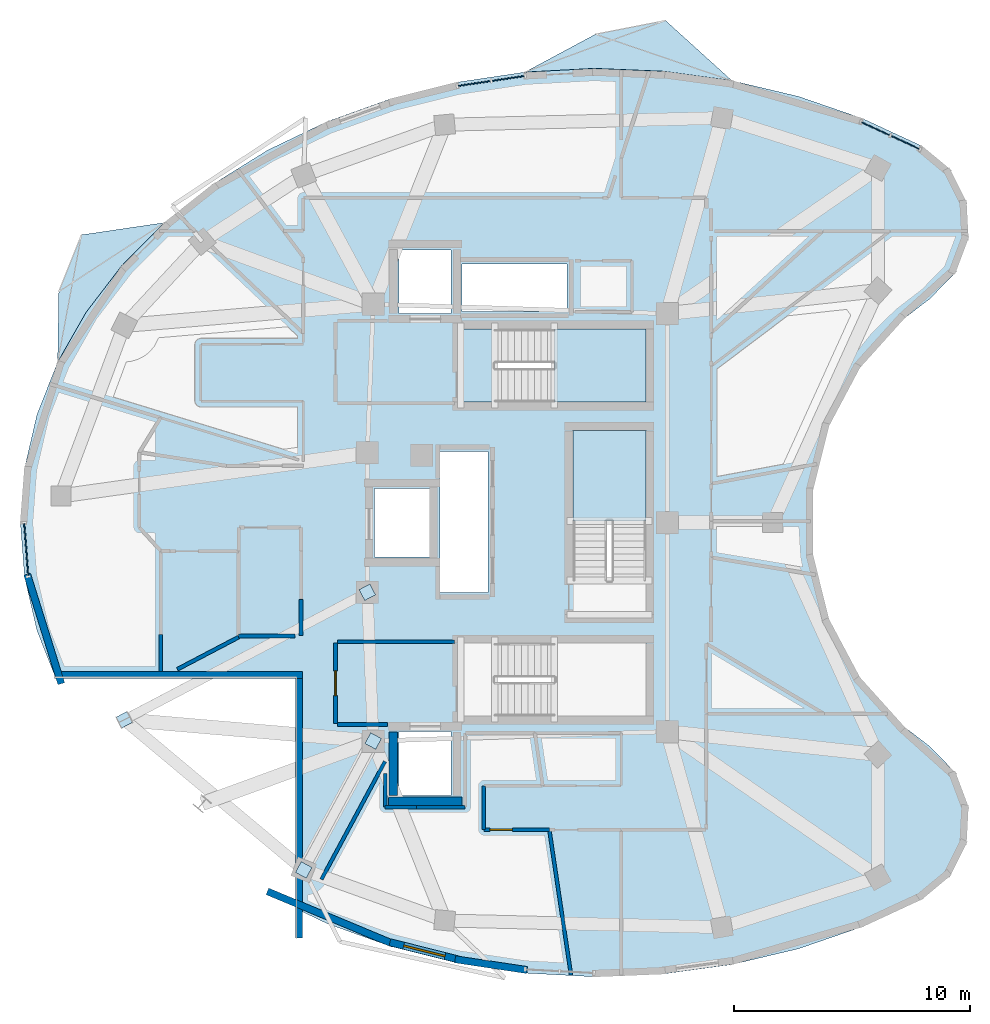
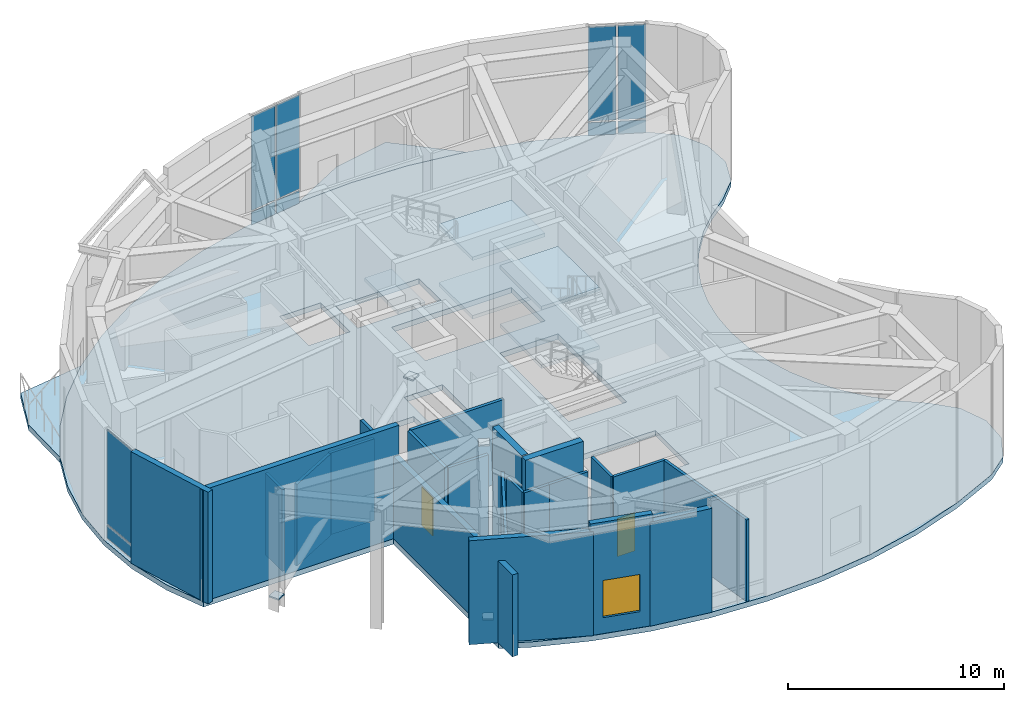
# One storey, part 5 of 12: 22 walls, 14 plates, 8 slabs, 2 doors, 1 window, 3 openings, 5 elements without a shape of their own.
"""IFC4 building model written with IfcOpenShell, lengths in metres."""

from ifc_helpers import new_model, si_unit, direction, frame, frame_2d, origin, origin_2d, place, context, subcontext, project, spatial, polyline, rectangle, outline, extrude, material, layer, layer_set, type_object, element, fill, aggregate, save


model = new_model("IFC4")

# Units and contexts
model_context = context("Model", 3, precision=1e-05, world=origin(), true_north=direction((0.0, 1.0)))
body_context = subcontext(model_context, "Body", "Model", "MODEL_VIEW")
ifc_project = project(units=[si_unit("LENGTHUNIT", "METRE"), si_unit("AREAUNIT", "SQUARE_METRE"), si_unit("VOLUMEUNIT", "CUBIC_METRE"), si_unit("PLANEANGLEUNIT", "RADIAN"), si_unit("MASSUNIT", "GRAM", prefix="KILO")], contexts=[model_context])

# Site, building, storey
site_placement = place(None, origin())
site = spatial("IfcSite", under=ifc_project, at=site_placement, CompositionType="ELEMENT")
building_placement = place(site_placement, origin())
building = spatial("IfcBuilding", under=site, at=building_placement, Name="Korentha Bioscience Tower", CompositionType="ELEMENT")
storey_placement = place(building_placement, frame((0.0, 0.0, 291.0)))
storey = spatial("IfcBuildingStorey", under=building, at=storey_placement, Name="L67", CompositionType="ELEMENT", Elevation=291.0)

# Curtain wall, plates
ifc_material_1 = material(Name="Thermally Broken Aluminium Frame", Category="aluminium")
ifc_layer_1 = layer(ifc_material_1, 0.219970703125, Name="Thermally Broken Aluminium Frame")
ifc_layer_set_1 = layer_set([ifc_layer_1], Name="Thermally Broken Aluminium Frame (CW-T1)")
curtain_wall_type = type_object("IfcCurtainWallType", Name="Standard Bioscience Lab Unitised Curtain Wall CW-T1", PredefinedType="USERDEFINED", material=ifc_layer_set_1)
curtain_wall_1_placement = place(storey_placement, origin())
curtain_wall_1 = element("IfcCurtainWall", 1, at=curtain_wall_1_placement, inside=storey, type_object=curtain_wall_type, Name="L67 Curtain Wall 01", ObjectType="UNITISED", PredefinedType="USERDEFINED")
ifc_material_2 = material(Name="Triple-Glazed Low-E Insulated Glass", Category="glass")
ifc_layer_2 = layer(ifc_material_2, 0.0439453125, Name="Triple-Glazed Low-E Insulated Glass")
ifc_layer_set_2 = layer_set([ifc_layer_2], Name="Triple-Glazed Low-E Insulated Glass (GL-44)")
plate_type_1 = type_object("IfcPlateType", Name="Glazed Panel 44mm", PredefinedType="CURTAIN_PANEL", material=ifc_layer_set_2)
plate_1_placement = place(storey_placement, frame((47.63330078125, 43.09521484375, 0.08984375), z_axis=(0.0, 0.0, 1.0), x_axis=(-0.907204022278, 0.420690934016, 0.0)))
plate_1 = element("IfcPlate", 2, at=plate_1_placement, type_object=plate_type_1, Name="CW-L67-01 Bay 1 Glazed Panel 1", PredefinedType="CURTAIN_PANEL", context=body_context, shape_type="SweptSolid", body=[
    extrude(rectangle(XDim=1.301513671875, YDim=0.0439453125, at=origin_2d()), origin(), (0.0, 0.0, 1.0), 0.715087890625),
])
plate_2_placement = place(storey_placement, frame((47.63330078125, 43.09521484375, 0.89501953125), z_axis=(0.0, 0.0, 1.0), x_axis=(-0.907204022278, 0.420690934016, 0.0)))
plate_2 = element("IfcPlate", 3, at=plate_2_placement, type_object=plate_type_1, Name="CW-L67-01 Bay 1 Glazed Panel 2", PredefinedType="CURTAIN_PANEL", context=body_context, shape_type="SweptSolid", body=[
    extrude(rectangle(XDim=1.301513671875, YDim=0.0439453125, at=origin_2d()), origin(), (0.0, 0.0, 1.0), 5.31494140625),
])
plate_3_placement = place(storey_placement, frame((46.37109375, 43.6806640625, 0.08984375), z_axis=(0.0, 0.0, 1.0), x_axis=(-0.907204022278, 0.420690934016, 0.0)))
plate_3 = element("IfcPlate", 4, at=plate_3_placement, type_object=plate_type_1, Name="CW-L67-01 Bay 2 Glazed Panel 1", PredefinedType="CURTAIN_PANEL", context=body_context, shape_type="SweptSolid", body=[
    extrude(rectangle(XDim=1.301513671875, YDim=0.0439453125, at=origin_2d()), origin(), (0.0, 0.0, 1.0), 0.715087890625),
])
plate_4_placement = place(storey_placement, frame((46.37109375, 43.6806640625, 0.89501953125), z_axis=(0.0, 0.0, 1.0), x_axis=(-0.907204022278, 0.420690934016, 0.0)))
plate_4 = element("IfcPlate", 5, at=plate_4_placement, type_object=plate_type_1, Name="CW-L67-01 Bay 2 Glazed Panel 2", PredefinedType="CURTAIN_PANEL", context=body_context, shape_type="SweptSolid", body=[
    extrude(rectangle(XDim=1.301513671875, YDim=0.0439453125, at=origin_2d()), origin(), (0.0, 0.0, 1.0), 5.31494140625),
])
aggregate(curtain_wall_1, [plate_1, plate_2, plate_3, plate_4])

curtain_wall_2_placement = place(storey_placement, origin())
curtain_wall_2 = element("IfcCurtainWall", 6, at=curtain_wall_2_placement, inside=storey, type_object=curtain_wall_type, Name="L67 Curtain Wall 07", ObjectType="UNITISED", PredefinedType="USERDEFINED")
plate_5_placement = place(storey_placement, frame((30.817138671875, 45.81005859375, 0.08984375), z_axis=(0.0, 0.0, 1.0), x_axis=(-0.98900659611, -0.147871406471, 0.0)))
plate_5 = element("IfcPlate", 7, at=plate_5_placement, type_object=plate_type_1, Name="CW-L67-07 Bay 1 Glazed Panel 1", PredefinedType="CURTAIN_PANEL", context=body_context, shape_type="SweptSolid", body=[
    extrude(rectangle(XDim=1.3662109375, YDim=0.0439453125, at=origin_2d()), origin(), (0.0, 0.0, 1.0), 0.715087890625),
])
plate_6_placement = place(storey_placement, frame((30.817138671875, 45.81005859375, 0.89501953125), z_axis=(0.0, 0.0, 1.0), x_axis=(-0.98900659611, -0.147871406471, 0.0)))
plate_6 = element("IfcPlate", 8, at=plate_6_placement, type_object=plate_type_1, Name="CW-L67-07 Bay 1 Glazed Panel 2", PredefinedType="CURTAIN_PANEL", context=body_context, shape_type="SweptSolid", body=[
    extrude(rectangle(XDim=1.3662109375, YDim=0.0439453125, at=origin_2d()), origin(), (0.0, 0.0, 1.0), 5.31494140625),
])
plate_7_placement = place(storey_placement, frame((29.376953125, 45.5947265625, 0.08984375), z_axis=(0.0, 0.0, 1.0), x_axis=(-0.98900659611, -0.147871406471, 0.0)))
plate_7 = element("IfcPlate", 9, at=plate_7_placement, type_object=plate_type_1, Name="CW-L67-07 Bay 2 Glazed Panel 1", PredefinedType="CURTAIN_PANEL", context=body_context, shape_type="SweptSolid", body=[
    extrude(rectangle(XDim=1.3662109375, YDim=0.0439453125, at=origin_2d()), origin(), (0.0, 0.0, 1.0), 0.715087890625),
])
plate_8_placement = place(storey_placement, frame((29.376953125, 45.5947265625, 0.89501953125), z_axis=(0.0, 0.0, 1.0), x_axis=(-0.98900659611, -0.147871406471, 0.0)))
plate_8 = element("IfcPlate", 10, at=plate_8_placement, type_object=plate_type_1, Name="CW-L67-07 Bay 2 Glazed Panel 2", PredefinedType="CURTAIN_PANEL", context=body_context, shape_type="SweptSolid", body=[
    extrude(rectangle(XDim=1.3662109375, YDim=0.0439453125, at=origin_2d()), origin(), (0.0, 0.0, 1.0), 5.31494140625),
])
aggregate(curtain_wall_2, [plate_5, plate_6, plate_7, plate_8])

curtain_wall_3_placement = place(storey_placement, origin())
curtain_wall_3 = element("IfcCurtainWall", 11, at=curtain_wall_3_placement, inside=storey, type_object=curtain_wall_type, Name="L67 Curtain Wall 19", ObjectType="UNITISED", PredefinedType="USERDEFINED")
plate_9_placement = place(storey_placement, frame((10.406005859375, 25.858642578125, 0.08984375), z_axis=(0.0, 0.0, 1.0), x_axis=(0.076447323916, -0.997073621487, 0.0)))
plate_9 = element("IfcPlate", 12, at=plate_9_placement, type_object=plate_type_1, Name="CW-L67-19 Bay 1 Glazed Panel 1", PredefinedType="CURTAIN_PANEL", context=body_context, shape_type="SweptSolid", body=[
    extrude(rectangle(XDim=2.2138671875, YDim=0.0439453125, at=origin_2d()), origin(), (0.0, 0.0, 1.0), 0.715087890625),
])
plate_10_placement = place(storey_placement, frame((10.406005859375, 25.858642578125, 0.89501953125), z_axis=(0.0, 0.0, 1.0), x_axis=(0.076447323916, -0.997073621487, 0.0)))
plate_10 = element("IfcPlate", 13, at=plate_10_placement, type_object=plate_type_1, Name="CW-L67-19 Bay 1 Glazed Panel 2", PredefinedType="CURTAIN_PANEL", context=body_context, shape_type="SweptSolid", body=[
    extrude(rectangle(XDim=2.2138671875, YDim=0.0439453125, at=origin_2d()), origin(), (0.0, 0.0, 1.0), 5.31494140625),
])
aggregate(curtain_wall_3, [plate_9, plate_10])

# Plates
ifc_material_3 = material(Name="Steel S355", Category="steel")
ifc_layer_3 = layer(ifc_material_3, 0.080078125, Name="Steel S355")
ifc_layer_set_3 = layer_set([ifc_layer_3], Name="Steel S355 (CP-01)")
plate_type_2 = type_object("IfcPlateType", Name="Hollow Section End Cap Plate 520x520x80", PredefinedType="USERDEFINED", material=ifc_layer_set_3)
for number, where, z_axis, x_axis, name in (
    (14, (22.156982421875, 12.290771484375, 0.35986328125), (0.0, 0.0, 1.0), (0.474549160903, 0.880229000821, 0.0), "Wind Portal Brace S End Cap 1"),
    (15, (25.10009765625, 17.75, 5.85986328125), (0.0, 0.0, 1.0), (0.474549160903, 0.880229000821, 0.0), "Wind Portal Brace S End Cap 2"),
    (16, (14.556884765625, 18.64892578125, 0.35986328125), (0.0, 0.0, 1.0), (0.885474742511, 0.464687508306, 0.0), "Wind Portal Brace N End Cap 1"),
    (17, (24.85009765625, 24.050048828125, 5.85986328125), (0.0, 0.0, 1.0), (0.885474742511, 0.464687508306, 0.0), "Wind Portal Brace N End Cap 2"),
):
    element("IfcPlate", number, at=place(storey_placement, frame(where, z_axis=z_axis, x_axis=x_axis)), inside=storey, type_object=plate_type_2, Name=name, ObjectType="CAP_PLATE", PredefinedType="USERDEFINED", context=body_context, shape_type="SweptSolid", body=[
        extrude(rectangle(XDim=0.52001953125, YDim=0.52001953125, at=origin_2d()), origin(), (0.0, 0.0, 1.0), 0.080078125),
    ])

# Slab
ifc_material_4 = material(Name="Concrete C50", Category="concrete")
ifc_layer_4 = layer(ifc_material_4, 0.300048828125, Name="Concrete C50")
ifc_layer_set_4 = layer_set([ifc_layer_4], Name="Concrete C50 (SL-L300)")
slab_type_1 = type_object("IfcSlabType", Name="Laboratory Vibration-Controlled Slab 300", PredefinedType="FLOOR", material=ifc_layer_set_4)
slab_1_placement = place(storey_placement, frame((0.0, 0.0, -0.300048828125)))
element("IfcSlab", 18, at=slab_1_placement, inside=storey, type_object=slab_type_1, Name="L67 Tower Structural Floor Slab", PredefinedType="FLOOR", context=body_context, shape_type="SweptSolid", body=[
    extrude(outline(polyline([(11.659423828125, 20.39990234375), (21.800048828125, 20.39990234375), (21.800048828125, 10.6650390625), (23.1484375, 10.017333984375), (25.82470703125, 9.056884765625), (28.628173828125, 8.35546875), (31.5185546875, 7.92333984375), (34.4541015625, 7.7666015625), (37.392333984375, 7.887451171875), (40.291015625, 8.284423828125), (43.10791015625, 8.95166015625), (45.802734375, 9.87939453125), (48.33642578125, 11.05419921875), (49.524169921875, 12.041259765625), (50.216796875, 13.421142578125), (50.298828125, 14.96337890625), (49.756103515625, 16.408935546875), (48.6796875, 17.51611328125), (47.57177734375, 18.366455078125), (46.575439453125, 19.345458984375), (45.7060546875, 20.438720703125), (44.976318359375, 21.62939453125), (44.39697265625, 22.900390625), (43.97705078125, 24.232421875), (43.722412109375, 25.60595703125), (43.63720703125, 27.0), (43.722412109375, 28.39404296875), (43.97705078125, 29.767578125), (44.39697265625, 31.099609375), (44.976318359375, 32.37060546875), (45.7060546875, 33.561279296875), (46.575439453125, 34.654541015625), (47.57177734375, 35.633544921875), (48.6796875, 36.48388671875), (49.756103515625, 37.591064453125), (50.298828125, 39.03662109375), (50.216796875, 40.578857421875), (49.524169921875, 41.958740234375), (48.33642578125, 42.94580078125), (45.802734375, 44.12060546875), (43.10791015625, 45.04833984375), (40.291015625, 45.715576171875), (37.392333984375, 46.112548828125), (34.4541015625, 46.2333984375), (31.5185546875, 46.07666015625), (28.628173828125, 45.64453125), (25.82470703125, 44.943115234375), (23.1484375, 43.982666015625), (20.63818359375, 42.77685546875), (18.330322265625, 41.343505859375), (16.258056640625, 39.702880859375), (14.450927734375, 37.87890625), (12.935546875, 35.897705078125), (11.733642578125, 33.788330078125), (10.862548828125, 31.580810546875), (10.334716796875, 29.306884765625), (10.157958984375, 27.0), (10.334716796875, 24.693115234375), (10.862548828125, 22.419189453125), (11.659423828125, 20.39990234375)]), holes=[polyline([(30.25, 32.10009765625), (36.64990234375, 32.10009765625), (36.64990234375, 35.199951171875), (30.25, 35.199951171875), (30.25, 32.10009765625)]), polyline([(30.25, 18.800048828125), (36.64990234375, 18.800048828125), (36.64990234375, 21.89990234375), (30.25, 21.89990234375), (30.25, 18.800048828125)]), polyline([(36.64990234375, 24.550048828125), (36.64990234375, 30.89990234375), (33.550048828125, 30.89990234375), (33.550048828125, 24.550048828125), (36.64990234375, 24.550048828125)]), polyline([(27.929931640625, 24.030029296875), (29.969970703125, 24.030029296875), (29.969970703125, 30.02001953125), (27.929931640625, 30.02001953125), (27.929931640625, 24.030029296875)]), polyline([(28.860107421875, 35.93994140625), (33.31005859375, 35.93994140625), (33.31005859375, 37.9599609375), (28.860107421875, 37.9599609375), (28.860107421875, 35.93994140625)]), polyline([(26.199951171875, 15.449951171875), (28.39990234375, 15.449951171875), (28.39990234375, 18.14990234375), (26.199951171875, 18.14990234375), (26.199951171875, 15.449951171875)]), polyline([(26.199951171875, 35.85009765625), (28.39990234375, 35.85009765625), (28.39990234375, 38.550048828125), (26.199951171875, 38.550048828125), (26.199951171875, 35.85009765625)]), polyline([(25.14990234375, 25.550048828125), (27.550048828125, 25.550048828125), (27.550048828125, 28.449951171875), (25.14990234375, 28.449951171875), (25.14990234375, 25.550048828125)])]), origin(), (0.0, 0.0, 1.0), 0.300048828125),
])

# Stair, slabs
ifc_material_5 = material(Name="Precast Concrete C50", Category="concrete")
stair_type = type_object("IfcStairType", Name="Core Exit Dog-Leg Stair 1450", PredefinedType="HALF_TURN_STAIR", material=ifc_material_5)
stair_1_placement = place(storey_placement, origin())
stair_1 = element("IfcStair", 19, at=stair_1_placement, inside=storey, type_object=stair_type, Name="L67 Tower North Pressurized Exit Stair ST-1", PredefinedType="HALF_TURN_STAIR")
ifc_layer_5 = layer(ifc_material_4, 0.199951171875, Name="Concrete C50")
ifc_layer_set_5 = layer_set([ifc_layer_5], Name="Concrete C50 (SL-LND)")
slab_type_2 = type_object("IfcSlabType", Name="Landing Slab 200", PredefinedType="LANDING", material=ifc_layer_set_5)
slab_2_placement = place(storey_placement, frame((0.0, 0.0, 1.449951171875)))
slab_2 = element("IfcSlab", 20, at=slab_2_placement, type_object=slab_type_2, Name="ST-1 landing 1", PredefinedType="LANDING", context=body_context, shape_type="SweptSolid", body=[
    extrude(outline(polyline([(32.77001953125, 32.10009765625), (36.64990234375, 32.10009765625), (36.64990234375, 35.199951171875), (32.77001953125, 35.199951171875), (32.77001953125, 32.10009765625)])), origin(), (0.0, 0.0, 1.0), 0.199951171875),
])
slab_3_placement = place(storey_placement, frame((0.0, 0.0, 3.10009765625)))
slab_3 = element("IfcSlab", 21, at=slab_3_placement, type_object=slab_type_2, Name="ST-1 landing 2", PredefinedType="LANDING", context=body_context, shape_type="SweptSolid", body=[
    extrude(outline(polyline([(28.800048828125, 32.10009765625), (30.25, 32.10009765625), (30.25, 35.199951171875), (28.800048828125, 35.199951171875), (28.800048828125, 32.10009765625)])), origin(), (0.0, 0.0, 1.0), 0.199951171875),
])
slab_4_placement = place(storey_placement, frame((0.0, 0.0, 4.75)))
slab_4 = element("IfcSlab", 22, at=slab_4_placement, type_object=slab_type_2, Name="ST-1 landing 3", PredefinedType="LANDING", context=body_context, shape_type="SweptSolid", body=[
    extrude(outline(polyline([(32.77001953125, 32.10009765625), (36.64990234375, 32.10009765625), (36.64990234375, 35.199951171875), (32.77001953125, 35.199951171875), (32.77001953125, 32.10009765625)])), origin(), (0.0, 0.0, 1.0), 0.199951171875),
])
aggregate(stair_1, [slab_2, slab_3, slab_4])

stair_2_placement = place(storey_placement, origin())
stair_2 = element("IfcStair", 23, at=stair_2_placement, inside=storey, type_object=stair_type, Name="L67 Tower Central Pressurized Exit Stair ST-3", PredefinedType="HALF_TURN_STAIR")
slab_5_placement = place(storey_placement, frame((0.0, 0.0, 1.449951171875)))
slab_5 = element("IfcSlab", 24, at=slab_5_placement, type_object=slab_type_2, Name="ST-3 landing 1", PredefinedType="LANDING", context=body_context, shape_type="SweptSolid", body=[
    extrude(outline(polyline([(36.64990234375, 27.070068359375), (36.64990234375, 30.89990234375), (33.550048828125, 30.89990234375), (33.550048828125, 27.070068359375), (36.64990234375, 27.070068359375)])), origin(), (0.0, 0.0, 1.0), 0.199951171875),
])
slab_6_placement = place(storey_placement, frame((0.0, 0.0, 4.75)))
slab_6 = element("IfcSlab", 25, at=slab_6_placement, type_object=slab_type_2, Name="ST-3 landing 3", PredefinedType="LANDING", context=body_context, shape_type="SweptSolid", body=[
    extrude(outline(polyline([(36.64990234375, 27.070068359375), (36.64990234375, 30.89990234375), (33.550048828125, 30.89990234375), (33.550048828125, 27.070068359375), (36.64990234375, 27.070068359375)])), origin(), (0.0, 0.0, 1.0), 0.199951171875),
])
aggregate(stair_2, [slab_5, slab_6])

# Slabs
ifc_layer_6 = layer(ifc_material_4, 0.300048828125, Name="Concrete C50")
ifc_layer_set_6 = layer_set([ifc_layer_6], Name="Concrete C50 (BS-240)")
slab_type_3 = type_object("IfcSlabType", Name="Sawtooth Sun-Ledge Balcony Slab 240", PredefinedType="USERDEFINED", material=ifc_layer_set_6)
slab_7_placement = place(storey_placement, frame((0.0, 0.0, -0.300048828125)))
element("IfcSlab", 26, at=slab_7_placement, inside=storey, type_object=slab_type_3, Name="L67 Sun-Ledge Balcony 01", ObjectType="BALCONY", PredefinedType="USERDEFINED", context=body_context, shape_type="SweptSolid", body=[
    extrude(outline(polyline([(31.5185546875, 46.07666015625), (34.4541015625, 46.2333984375), (37.392333984375, 46.112548828125), (40.291015625, 45.715576171875), (37.480712890625, 48.2607421875), (34.513916015625, 47.68212890625), (31.5185546875, 46.07666015625)])), origin(), (0.0, 0.0, 1.0), 0.300048828125),
])
slab_8_placement = place(storey_placement, frame((0.0, 0.0, -0.300048828125)))
element("IfcSlab", 27, at=slab_8_placement, inside=storey, type_object=slab_type_3, Name="L67 Sun-Ledge Balcony 02", ObjectType="BALCONY", PredefinedType="USERDEFINED", context=body_context, shape_type="SweptSolid", body=[
    extrude(outline(polyline([(11.733642578125, 33.788330078125), (12.935546875, 35.897705078125), (14.450927734375, 37.87890625), (16.258056640625, 39.702880859375), (12.743408203125, 39.185302734375), (11.783935546875, 36.77880859375), (11.733642578125, 33.788330078125)])), origin(), (0.0, 0.0, 1.0), 0.300048828125),
])

# Wall, opening, door
ifc_material_6 = material(Name="Double-Stud Acoustic Gypsum", Category="gypsum")
ifc_layer_7 = layer(ifc_material_6, 0.14990234375, Name="Double-Stud Acoustic Gypsum")
ifc_layer_set_7 = layer_set([ifc_layer_7], Name="Double-Stud Acoustic Gypsum (IW-L150)")
wall_type_1 = type_object("IfcWallType", Name="Acoustic Laboratory Partition Wall 150", PredefinedType="PARTITIONING", material=ifc_layer_set_7)
wall_1_placement = place(storey_placement, frame((29.800048828125, 13.989990234375, 0.0), z_axis=(0.0, 0.0, 1.0), x_axis=(1.0, 0.0, 0.0)))
wall_1 = element("IfcWall", 28, at=wall_1_placement, inside=storey, type_object=wall_type_1, Name="L67 Biomechanical Motion Analysis Lab 03 Entrance Wall", PredefinedType="PARTITIONING", context=body_context, shape_type="SweptSolid", body=[
    extrude(rectangle(XDim=2.7578125, YDim=0.14990234375, at=frame_2d((1.37890625, 0.0))), origin(), (0.0, 0.0, 1.0), 4.610107421875),
])
opening_1_placement = place(wall_1_placement, frame((0.239990234375, 0.0, 0.0)))
opening_1 = element("IfcOpeningElement", 29, at=opening_1_placement, cuts=wall_1, Name="Opening ID-10R", PredefinedType="OPENING", context=body_context, shape_type="SweptSolid", body=[
    extrude(rectangle(XDim=0.949951171875, YDim=2.14990234375, at=frame_2d((0.47509765625, 1.074951171875))), frame((0.0, 0.08984375, 0.0), z_axis=(0.0, -1.0, 0.0), x_axis=(1.0, 0.0, 0.0)), (0.0, 0.0, 1.0), 0.1796875),
])
ifc_material_7 = material(Name="Phenolic Laminate Timber Core", Category="wood")
door_type_1 = type_object("IfcDoorType", Name="Laboratory Single Leaf Door 950x2150 Right", OperationType="SINGLE_SWING_RIGHT", PredefinedType="DOOR", material=ifc_material_7)
door_1_placement = place(opening_1_placement, origin())
door_1 = element("IfcDoor", 30, at=door_1_placement, inside=storey, type_object=door_type_1, Name="L67 Biomechanical Motion Analysis Lab 03 Door", OperationType="SINGLE_SWING_RIGHT", OverallHeight=2.14990234375, OverallWidth=0.949951171875, PredefinedType="DOOR", context=body_context, shape_type="SweptSolid", body=[
    extrude(rectangle(XDim=0.949951171875, YDim=2.14990234375, at=frame_2d((0.47509765625, 1.074951171875))), frame((0.0, 0.02490234375, 0.0), z_axis=(0.0, -1.0, 0.0), x_axis=(1.0, 0.0, 0.0)), (0.0, 0.0, 1.0), 0.050048828125),
])
fill(opening_1, door_1)

# Walls
wall_2_placement = place(storey_placement, frame((16.097900390625, 22.252685546875, 0.0), z_axis=(0.0, 0.0, 1.0), x_axis=(0.0, -1.0, 0.0)))
element("IfcWall", 31, at=wall_2_placement, inside=storey, type_object=wall_type_1, Name="L67 Interior Partition 035", PredefinedType="PARTITIONING", context=body_context, shape_type="SweptSolid", body=[
    extrude(rectangle(XDim=1.5625, YDim=0.14990234375, at=frame_2d((0.78125, 0.0))), origin(), (0.0, 0.0, 1.0), 4.610107421875),
])
wall_3_placement = place(storey_placement, frame((22.9052734375, 11.8876953125, 0.0), z_axis=(0.0, 0.0, 1.0), x_axis=(0.474535631518, 0.880236294651, 0.0)))
element("IfcWall", 32, at=wall_3_placement, inside=storey, type_object=wall_type_1, Name="L67 Interior Partition 039", PredefinedType="PARTITIONING", context=body_context, shape_type="SweptSolid", body=[
    extrude(rectangle(XDim=5.678466796875, YDim=0.14990234375, at=frame_2d((2.83935546875, 0.0))), origin(), (0.0, 0.0, 1.0), 4.610107421875),
])
wall_4_placement = place(storey_placement, frame((25.60009765625, 16.380615234375, 0.0), z_axis=(0.0, 0.0, 1.0), x_axis=(0.0, -1.0, 0.0)))
element("IfcWall", 33, at=wall_4_placement, inside=storey, type_object=wall_type_1, Name="L67 Interior Partition 040", PredefinedType="PARTITIONING", context=body_context, shape_type="SweptSolid", body=[
    extrude(rectangle(XDim=1.426513671875, YDim=0.14990234375, at=frame_2d((0.71337890625, 0.0))), origin(), (0.0, 0.0, 1.0), 4.610107421875),
])
wall_5_placement = place(storey_placement, frame((25.60400390625, 14.949951171875, 0.0), z_axis=(0.0, 0.0, 1.0), x_axis=(1.0, 0.0, 0.0)))
element("IfcWall", 34, at=wall_5_placement, inside=storey, type_object=wall_type_1, Name="L67 Interior Partition 041", PredefinedType="PARTITIONING", context=body_context, shape_type="SweptSolid", body=[
    extrude(rectangle(XDim=1.3251953125, YDim=0.14990234375, at=frame_2d((0.66259765625, 0.0))), origin(), (0.0, 0.0, 1.0), 4.610107421875),
])
wall_6_placement = place(storey_placement, frame((26.93359375, 14.949951171875, 0.0), z_axis=(0.0, 0.0, 1.0), x_axis=(1.0, 0.0, 0.0)))
element("IfcWall", 35, at=wall_6_placement, inside=storey, type_object=wall_type_1, Name="L67 Interior Partition 042", PredefinedType="PARTITIONING", context=body_context, shape_type="SweptSolid", body=[
    extrude(rectangle(XDim=2.062255859375, YDim=0.14990234375, at=frame_2d((1.03125, 0.0))), origin(), (0.0, 0.0, 1.0), 4.610107421875),
])
wall_7_placement = place(storey_placement, frame((29.7900390625, 15.85009765625, 0.0), z_axis=(0.0, 0.0, 1.0), x_axis=(0.0, -1.0, 0.0)))
element("IfcWall", 36, at=wall_7_placement, inside=storey, type_object=wall_type_1, Name="L67 Interior Partition 047", PredefinedType="PARTITIONING", context=body_context, shape_type="SweptSolid", body=[
    extrude(rectangle(XDim=1.85009765625, YDim=0.14990234375, at=frame_2d((0.925048828125, 0.0))), origin(), (0.0, 0.0, 1.0), 4.610107421875),
])
wall_8_placement = place(storey_placement, frame((32.557861328125, 13.989990234375, 0.0), z_axis=(0.0, 0.0, 1.0), x_axis=(0.147804412984, -0.989016610327, 0.0)))
element("IfcWall", 37, at=wall_8_placement, inside=storey, type_object=wall_type_1, Name="L67 Interior Partition 048", PredefinedType="PARTITIONING", context=body_context, shape_type="SweptSolid", body=[
    extrude(rectangle(XDim=6.214111328125, YDim=0.14990234375, at=frame_2d((3.10693359375, 0.0))), origin(), (0.0, 0.0, 1.0), 4.610107421875),
])

# Wall, opening, door
ifc_material_8 = material(Name="Gypsum-Clad Steel Stud", Category="steel")
ifc_layer_8 = layer(ifc_material_8, 0.159912109375, Name="Gypsum-Clad Steel Stud")
ifc_layer_set_8 = layer_set([ifc_layer_8], Name="Gypsum-Clad Steel Stud (IW-C160)")
wall_type_2 = type_object("IfcWallType", Name="Fire-Rated Corridor Partition Wall 160", PredefinedType="PARTITIONING", material=ifc_layer_set_8)
wall_9_placement = place(storey_placement, frame((23.5, 18.5, 0.0), z_axis=(0.0, 0.0, 1.0), x_axis=(0.0, 1.0, 0.0)))
wall_9 = element("IfcWall", 38, at=wall_9_placement, inside=storey, type_object=wall_type_2, Name="L67 FFLS-CW Rated Enclosure Wall", PredefinedType="PARTITIONING", context=body_context, shape_type="SweptSolid", body=[
    extrude(rectangle(XDim=3.39990234375, YDim=0.159912109375, at=frame_2d((1.699951171875, 0.0))), origin(), (0.0, 0.0, 1.0), 4.610107421875),
])
opening_2_placement = place(wall_9_placement, frame((1.175048828125, 0.0, 0.0)))
opening_2 = element("IfcOpeningElement", 39, at=opening_2_placement, cuts=wall_9, Name="Opening FD-90R", PredefinedType="OPENING", context=body_context, shape_type="SweptSolid", body=[
    extrude(rectangle(XDim=1.050048828125, YDim=2.14990234375, at=frame_2d((0.52490234375, 1.074951171875))), frame((0.0, 0.0947265625, 0.0), z_axis=(0.0, -1.0, 0.0), x_axis=(1.0, 0.0, 0.0)), (0.0, 0.0, 1.0), 0.189697265625),
])
ifc_material_9 = material(Name="Powder-Coated Fire-Rated Steel", Category="steel")
door_type_2 = type_object("IfcDoorType", Name="Stairwell Fire Exit Door 1050x2150 Right", OperationType="SINGLE_SWING_RIGHT", PredefinedType="DOOR", material=ifc_material_9)
door_2_placement = place(opening_2_placement, origin())
door_2 = element("IfcDoor", 40, at=door_2_placement, inside=storey, type_object=door_type_2, Name="L67 South Firefighting Lobby Door", OperationType="SINGLE_SWING_RIGHT", OverallHeight=2.14990234375, OverallWidth=1.050048828125, PredefinedType="DOOR", context=body_context, shape_type="SweptSolid", body=[
    extrude(rectangle(XDim=1.050048828125, YDim=2.14990234375, at=frame_2d((0.52490234375, 1.074951171875))), frame((0.0, 0.02490234375, 0.0), z_axis=(0.0, -1.0, 0.0), x_axis=(1.0, 0.0, 0.0)), (0.0, 0.0, 1.0), 0.050048828125),
])
fill(opening_2, door_2)

# Walls
wall_10_placement = place(storey_placement, frame((23.580078125, 21.949951171875, 0.0), z_axis=(0.0, 0.0, 1.0), x_axis=(1.0, 0.0, 0.0)))
element("IfcWall", 41, at=wall_10_placement, inside=storey, type_object=wall_type_2, Name="L67 Firefighting Lobby Return Wall FFLS-N", PredefinedType="PARTITIONING", context=body_context, shape_type="SweptSolid", body=[
    extrude(rectangle(XDim=4.969970703125, YDim=0.159912109375, at=frame_2d((2.48486328125, 0.0))), origin(), (0.0, 0.0, 1.0), 4.610107421875),
])
wall_11_placement = place(storey_placement, frame((23.580078125, 18.449951171875, 0.0), z_axis=(0.0, 0.0, 1.0), x_axis=(1.0, 0.0, 0.0)))
element("IfcWall", 42, at=wall_11_placement, inside=storey, type_object=wall_type_2, Name="L67 Firefighting Lobby Return Wall FFLS-S", PredefinedType="PARTITIONING", context=body_context, shape_type="SweptSolid", body=[
    extrude(rectangle(XDim=2.119873046875, YDim=0.159912109375, at=frame_2d((1.06005859375, 0.0))), origin(), (0.0, 0.0, 1.0), 4.610107421875),
])
wall_12_placement = place(storey_placement, frame((22.0400390625, 23.75, 0.0), z_axis=(0.0, 0.0, 1.0), x_axis=(0.0, -1.0, 0.0)))
element("IfcWall", 43, at=wall_12_placement, inside=storey, type_object=wall_type_2, Name="L67 Interior Partition 023", PredefinedType="PARTITIONING", context=body_context, shape_type="SweptSolid", body=[
    extrude(rectangle(XDim=1.5400390625, YDim=0.159912109375, at=frame_2d((0.77001953125, 0.0))), origin(), (0.0, 0.0, 1.0), 4.610107421875),
])
wall_13_placement = place(storey_placement, frame((21.7900390625, 22.199951171875, 0.0), z_axis=(0.0, 0.0, 1.0), x_axis=(-1.0, 0.0, 0.0)))
element("IfcWall", 44, at=wall_13_placement, inside=storey, type_object=wall_type_2, Name="L67 Interior Partition 024", PredefinedType="PARTITIONING", context=body_context, shape_type="SweptSolid", body=[
    extrude(rectangle(XDim=2.39013671875, YDim=0.159912109375, at=frame_2d((1.195068359375, 0.0))), origin(), (0.0, 0.0, 1.0), 4.610107421875),
])
wall_14_placement = place(storey_placement, frame((19.39990234375, 22.150146484375, 0.0), z_axis=(0.0, 0.0, 1.0), x_axis=(-0.885480277224, -0.464676961606, 0.0)))
element("IfcWall", 45, at=wall_14_placement, inside=storey, type_object=wall_type_2, Name="L67 Interior Partition 038", PredefinedType="PARTITIONING", context=body_context, shape_type="SweptSolid", body=[
    extrude(rectangle(XDim=2.927001953125, YDim=0.159912109375, at=frame_2d((1.46337890625, 0.0))), origin(), (0.0, 0.0, 1.0), 4.610107421875),
])

# Wall, opening, window
ifc_material_10 = material(Name="Honed Limestone Precast Concrete C40", Category="masonry")
ifc_layer_9 = layer(ifc_material_10, 0.300048828125, Name="Honed Limestone Precast Concrete C40")
ifc_layer_set_9 = layer_set([ifc_layer_9], Name="Honed Limestone Precast Concrete C40 (EW-ST300)")
wall_type_3 = type_object("IfcWallType", Name="Honed Limestone Cavity Spandrel Wall 300", PredefinedType="STANDARD", material=ifc_layer_set_9)
wall_15_placement = place(storey_placement, frame((25.805419921875, 9.226806640625, 0.0), z_axis=(0.0, 0.0, 1.0), x_axis=(0.970080437625, -0.242783740264, 0.0)))
wall_15 = element("IfcWall", 46, at=wall_15_placement, inside=storey, type_object=wall_type_3, Name="L67 Honed Limestone Spandrel Wall 29", PredefinedType="STANDARD", context=body_context, shape_type="SweptSolid", body=[
    extrude(rectangle(XDim=3.009765625, YDim=0.300048828125, at=frame_2d((1.5048828125, 0.0))), origin(), (0.0, 0.0, 1.0), 6.300048828125),
])
opening_3_placement = place(wall_15_placement, frame((0.60498046875, 0.0, 0.89990234375)))
opening_3 = element("IfcOpeningElement", 47, at=opening_3_placement, cuts=wall_15, Name="Opening WN-01", PredefinedType="OPENING", context=body_context, shape_type="SweptSolid", body=[
    extrude(rectangle(XDim=1.800048828125, YDim=2.10009765625, at=frame_2d((0.89990234375, 1.050048828125))), frame((0.0, 0.1650390625, 0.0), z_axis=(0.0, -1.0, 0.0), x_axis=(1.0, 0.0, 0.0)), (0.0, 0.0, 1.0), 0.329833984375),
])
ifc_material_11 = material(Name="Thermally Broken Aluminium Triple Glazing", Category="aluminium")
window_type = type_object("IfcWindowType", Name="Triple-Glazed Fixed Bioscience Window 1800x2100", PartitioningType="SINGLE_PANEL", PredefinedType="WINDOW", material=ifc_material_11)
window_placement = place(opening_3_placement, origin())
window = element("IfcWindow", 48, at=window_placement, inside=storey, type_object=window_type, Name="L67 Facade Window 29", OverallHeight=2.10009765625, OverallWidth=1.800048828125, PartitioningType="SINGLE_PANEL", PredefinedType="WINDOW", context=body_context, shape_type="SweptSolid", body=[
    extrude(rectangle(XDim=1.800048828125, YDim=2.10009765625, at=frame_2d((0.89990234375, 1.050048828125))), frame((0.0, 0.030029296875, 0.0), z_axis=(0.0, -1.0, 0.0), x_axis=(1.0, 0.0, 0.0)), (0.0, 0.0, 1.0), 0.06005859375),
])
fill(opening_3, window)

# Walls
wall_16_placement = place(storey_placement, frame((10.444580078125, 24.81103515625, 0.0), z_axis=(0.0, 0.0, 1.0), x_axis=(0.297974306034, -0.954573890772, 0.0)))
element("IfcWall", 49, at=wall_16_placement, inside=storey, type_object=wall_type_3, Name="L67 Limestone Perimeter Closure Wall 20", PredefinedType="STANDARD", context=body_context, shape_type="SweptSolid", body=[
    extrude(rectangle(XDim=4.8544921875, YDim=0.300048828125, at=frame_2d((2.42724609375, 0.0))), origin(), (0.0, 0.0, 1.0), 6.300048828125),
])
wall_17_placement = place(storey_placement, frame((20.618408203125, 11.383056640625, 0.0), z_axis=(0.0, 0.0, 1.0), x_axis=(0.922751708641, -0.385394971684, 0.0)))
element("IfcWall", 50, at=wall_17_placement, inside=storey, type_object=wall_type_3, Name="L67 Limestone Perimeter Closure Wall 27", PredefinedType="STANDARD", context=body_context, shape_type="SweptSolid", body=[
    extrude(rectangle(XDim=5.780517578125, YDim=0.300048828125, at=frame_2d((2.89013671875, 0.0))), origin(), (0.0, 0.0, 1.0), 5.8701171875),
])
wall_18_placement = place(storey_placement, frame((28.56982421875, 8.505859375, 0.0), z_axis=(0.0, 0.0, 1.0), x_axis=(0.988994950801, -0.147949272691, 0.0)))
element("IfcWall", 51, at=wall_18_placement, inside=storey, type_object=wall_type_3, Name="L67 Limestone Perimeter Closure Wall 30", PredefinedType="STANDARD", context=body_context, shape_type="SweptSolid", body=[
    extrude(rectangle(XDim=3.08251953125, YDim=0.300048828125, at=frame_2d((1.541259765625, 0.0))), origin(), (0.0, 0.0, 1.0), 5.8701171875),
])
wall_19_placement = place(storey_placement, frame((11.60009765625, 20.550048828125, 0.0), z_axis=(0.0, 0.0, 1.0), x_axis=(1.0, 0.0, 0.0)))
element("IfcWall", 52, at=wall_19_placement, inside=storey, type_object=wall_type_3, Name="L67 Wind Portal North Cheek Enclosure Wall", PredefinedType="STANDARD", context=body_context, shape_type="SweptSolid", body=[
    extrude(rectangle(XDim=10.5, YDim=0.300048828125, at=frame_2d((5.25, 0.0))), origin(), (0.0, 0.0, 1.0), 6.300048828125),
])
wall_20_placement = place(storey_placement, frame((21.949951171875, 9.39990234375, 0.0), z_axis=(0.0, 0.0, 1.0), x_axis=(0.0, 1.0, 0.0)))
element("IfcWall", 53, at=wall_20_placement, inside=storey, type_object=wall_type_3, Name="L67 Wind Portal East Cheek Enclosure Wall", PredefinedType="STANDARD", context=body_context, shape_type="SweptSolid", body=[
    extrude(rectangle(XDim=11.150146484375, YDim=0.300048828125, at=frame_2d((5.5751953125, 0.0))), origin(), (0.0, 0.0, 1.0), 4.625),
])
ifc_layer_10 = layer(ifc_material_4, 0.35009765625, Name="Concrete C50")
ifc_layer_set_10 = layer_set([ifc_layer_10], Name="Concrete C50 (CW-C50)")
wall_type_4 = type_object("IfcWallType", Name="Upper Core Shear Wall 350", PredefinedType="SHEAR", material=ifc_layer_set_10)
wall_21_placement = place(storey_placement, frame((25.75, 15.199951171875, 0.0), z_axis=(0.0, 0.0, 1.0), x_axis=(1.0, 0.0, 0.0)))
element("IfcWall", 54, at=wall_21_placement, inside=storey, type_object=wall_type_4, Name="L67 Core Shear Wall FFL1-S", PredefinedType="SHEAR", context=body_context, shape_type="SweptSolid", body=[
    extrude(rectangle(XDim=3.10009765625, YDim=0.35009765625, at=frame_2d((1.550048828125, 0.0))), origin(), (0.0, 0.0, 1.0), 6.300048828125),
])
wall_22_placement = place(storey_placement, frame((25.949951171875, 15.43994140625, 0.0), z_axis=(0.0, 0.0, 1.0), x_axis=(0.0, 1.0, 0.0)))
element("IfcWall", 55, at=wall_22_placement, inside=storey, type_object=wall_type_4, Name="L67 Core Shear Wall FFL1-W", PredefinedType="SHEAR", context=body_context, shape_type="SweptSolid", body=[
    extrude(rectangle(XDim=2.699951171875, YDim=0.35009765625, at=frame_2d((1.35009765625, 0.0))), origin(), (0.0, 0.0, 1.0), 6.300048828125),
])

save(model, "model.ifc")
